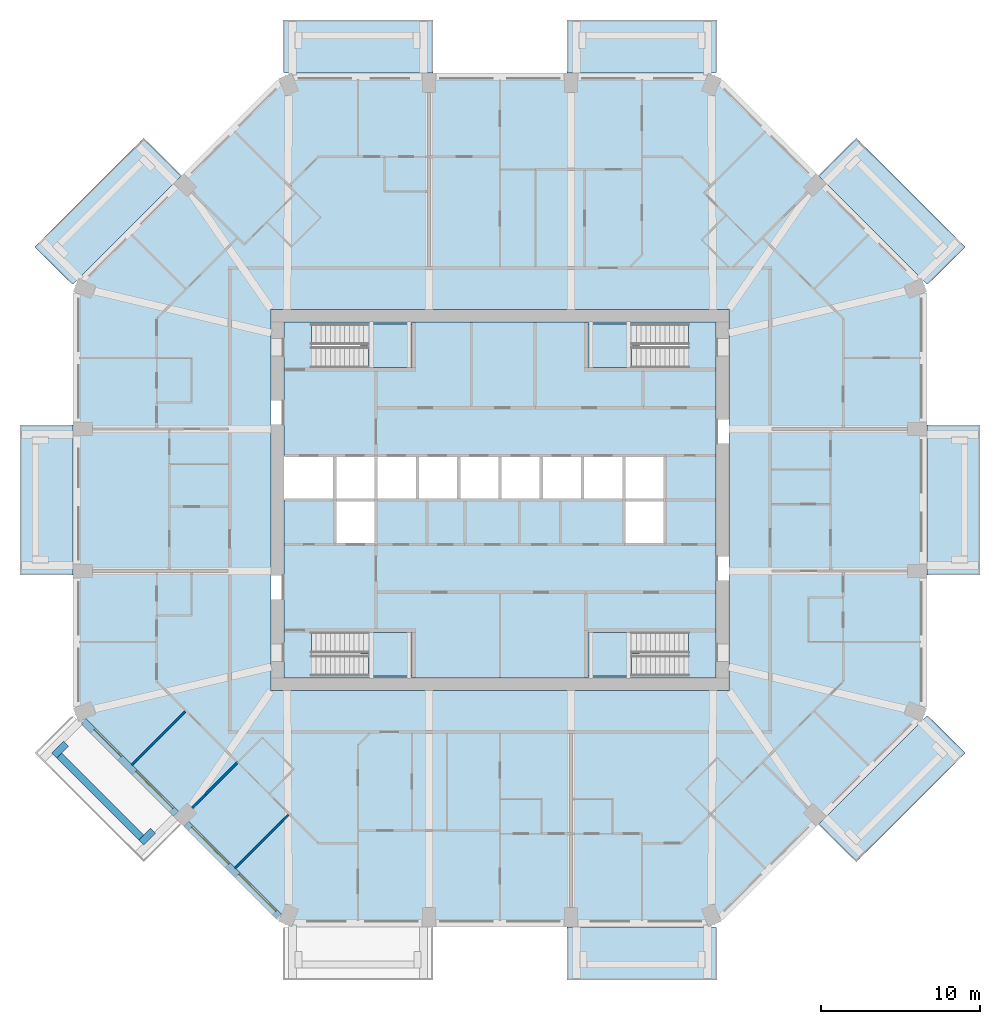
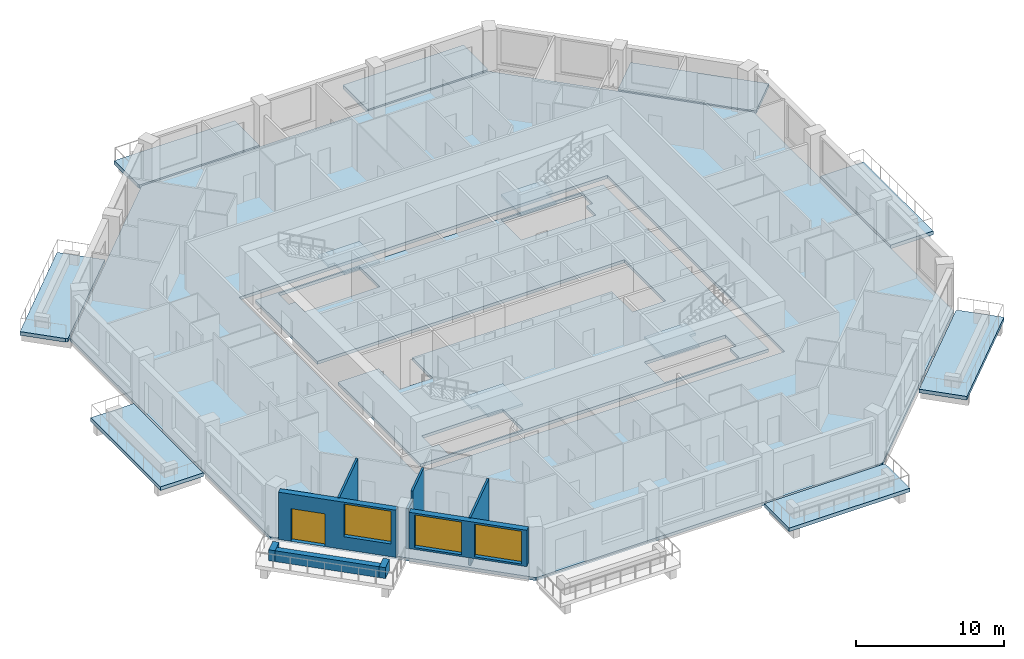
# One storey, part 2 of 13: 14 slabs, 9 walls, 3 windows, 1 door, 4 openings, 4 elements without a shape of their own.
"""IFC4 building model written with IfcOpenShell, lengths in metres."""

from ifc_helpers import new_model, si_unit, direction, frame, frame_2d, origin, place, context, subcontext, project, spatial, polyline, rectangle, outline, extrude, material, layer, layer_set, type_object, element, fill, aggregate, save


model = new_model("IFC4")

# Units and contexts
model_context = context("Model", 3, precision=1e-05, world=origin(), true_north=direction((0.0, 1.0)))
body_context = subcontext(model_context, "Body", "Model", "MODEL_VIEW")
ifc_project = project(units=[si_unit("LENGTHUNIT", "METRE"), si_unit("AREAUNIT", "SQUARE_METRE"), si_unit("VOLUMEUNIT", "CUBIC_METRE"), si_unit("PLANEANGLEUNIT", "RADIAN"), si_unit("MASSUNIT", "GRAM", prefix="KILO")], contexts=[model_context])

# Site, building, storey
site_placement = place(None, origin())
site = spatial("IfcSite", under=ifc_project, at=site_placement, CompositionType="ELEMENT")
building_placement = place(site_placement, origin())
building = spatial("IfcBuilding", under=site, at=building_placement, Name="Msitu Wima Residences", CompositionType="ELEMENT")
storey_placement = place(building_placement, frame((0.0, 0.0, 114.89990234375)))
storey = spatial("IfcBuildingStorey", under=building, at=storey_placement, Name="L26", CompositionType="ELEMENT", Elevation=114.89990234375)

# Slabs
ifc_material_1 = material(Name="Concrete C40/50", Category="concrete")
ifc_layer_1 = layer(ifc_material_1, 0.300048828125)
ifc_layer_set_1 = layer_set([ifc_layer_1], Name="Concrete C40/50")
slab_type_1 = type_object("IfcSlabType", Name="Balcony slab BS300", PredefinedType="FLOOR", material=ifc_layer_set_1)
slab_1_placement = place(storey_placement, frame((0.0, 0.0, -0.2998046875)))
element("IfcSlab", 1, at=slab_1_placement, inside=storey, type_object=slab_type_1, Name="Balcony E1 L26", PredefinedType="FLOOR", context=body_context, shape_type="SweptSolid", body=[
    extrude(outline(polyline([(26.85009765625, 4.0185546875), (26.85009765625, 4.0185546875), (26.85009765625, 4.71875), (30.199951171875, 4.71875), (30.199951171875, -4.71875), (26.85009765625, -4.71875), (26.85009765625, -4.0185546875), (26.85009765625, -4.0185546875), (26.85009765625, 4.0185546875)])), origin(), (0.0, 0.0, 1.0), 0.2998046875),
])
slab_2_placement = place(storey_placement, frame((0.0, 0.0, -0.2998046875)))
element("IfcSlab", 2, at=slab_2_placement, inside=storey, type_object=slab_type_1, Name="Balcony NE0 L26", PredefinedType="FLOOR", context=body_context, shape_type="SweptSolid", body=[
    extrude(outline(polyline([(22.4130859375, 22.766845703125), (29.263671875, 15.916015625), (27.003662109375, 13.656005859375), (26.85009765625, 13.59228515625), (20.04443359375, 20.39794921875), (22.4130859375, 22.766845703125)])), origin(), (0.0, 0.0, 1.0), 0.2998046875),
])
slab_3_placement = place(storey_placement, frame((0.0, 0.0, -0.2998046875)))
element("IfcSlab", 3, at=slab_3_placement, inside=storey, type_object=slab_type_1, Name="Balcony N0 L26", PredefinedType="FLOOR", context=body_context, shape_type="SweptSolid", body=[
    extrude(outline(polyline([(13.105224609375, 26.85009765625), (13.105224609375, 26.85009765625), (4.918701171875, 26.85009765625), (4.918701171875, 26.85009765625), (4.21875, 26.85009765625), (4.21875, 30.199951171875), (13.656005859375, 30.199951171875), (13.656005859375, 27.003662109375), (13.59228515625, 26.85009765625), (13.105224609375, 26.85009765625), (13.105224609375, 26.85009765625)])), origin(), (0.0, 0.0, 1.0), 0.2998046875),
])
slab_4_placement = place(storey_placement, frame((0.0, 0.0, -0.2998046875)))
element("IfcSlab", 4, at=slab_4_placement, inside=storey, type_object=slab_type_1, Name="Balcony N2 L26", PredefinedType="FLOOR", context=body_context, shape_type="SweptSolid", body=[
    extrude(outline(polyline([(-13.105224609375, 26.85009765625), (-13.105224609375, 26.85009765625), (-13.59228515625, 26.85009765625), (-13.656005859375, 27.003662109375), (-13.656005859375, 30.199951171875), (-4.21875, 30.199951171875), (-4.21875, 26.85009765625), (-4.918701171875, 26.85009765625), (-4.918701171875, 26.85009765625), (-13.105224609375, 26.85009765625), (-13.105224609375, 26.85009765625)])), origin(), (0.0, 0.0, 1.0), 0.2998046875),
])
slab_5_placement = place(storey_placement, frame((0.0, 0.0, -0.2998046875)))
element("IfcSlab", 5, at=slab_5_placement, inside=storey, type_object=slab_type_1, Name="Balcony NW1 L26", PredefinedType="FLOOR", context=body_context, shape_type="SweptSolid", body=[
    extrude(outline(polyline([(-29.263671875, 15.916015625), (-22.4130859375, 22.766845703125), (-20.04443359375, 20.39794921875), (-26.85009765625, 13.59228515625), (-27.003662109375, 13.656005859375), (-29.263671875, 15.916015625)])), origin(), (0.0, 0.0, 1.0), 0.2998046875),
])
slab_6_placement = place(storey_placement, frame((0.0, 0.0, -0.2998046875)))
element("IfcSlab", 6, at=slab_6_placement, inside=storey, type_object=slab_type_1, Name="Balcony W1 L26", PredefinedType="FLOOR", context=body_context, shape_type="SweptSolid", body=[
    extrude(outline(polyline([(-26.85009765625, -4.0185546875), (-26.85009765625, -4.0185546875), (-26.85009765625, -4.71875), (-30.199951171875, -4.71875), (-30.199951171875, 4.71875), (-26.85009765625, 4.71875), (-26.85009765625, 4.0185546875), (-26.85009765625, 4.0185546875), (-26.85009765625, -4.0185546875)])), origin(), (0.0, 0.0, 1.0), 0.2998046875),
])
slab_7_placement = place(storey_placement, frame((0.0, 0.0, -0.2998046875)))
element("IfcSlab", 7, at=slab_7_placement, inside=storey, type_object=slab_type_1, Name="Balcony S2 L26", PredefinedType="FLOOR", context=body_context, shape_type="SweptSolid", body=[
    extrude(outline(polyline([(13.105224609375, -26.85009765625), (13.105224609375, -26.85009765625), (13.59228515625, -26.85009765625), (13.656005859375, -27.003662109375), (13.656005859375, -30.199951171875), (4.21875, -30.199951171875), (4.21875, -26.85009765625), (4.918701171875, -26.85009765625), (4.918701171875, -26.85009765625), (13.105224609375, -26.85009765625), (13.105224609375, -26.85009765625)])), origin(), (0.0, 0.0, 1.0), 0.2998046875),
])
slab_8_placement = place(storey_placement, frame((0.0, 0.0, -0.2998046875)))
element("IfcSlab", 8, at=slab_8_placement, inside=storey, type_object=slab_type_1, Name="Balcony SE1 L26", PredefinedType="FLOOR", context=body_context, shape_type="SweptSolid", body=[
    extrude(outline(polyline([(29.263671875, -15.916015625), (22.4130859375, -22.766845703125), (20.04443359375, -20.39794921875), (26.85009765625, -13.59228515625), (27.003662109375, -13.656005859375), (29.263671875, -15.916015625)])), origin(), (0.0, 0.0, 1.0), 0.2998046875),
])
ifc_layer_2 = layer(ifc_material_1, 0.25)
ifc_layer_set_2 = layer_set([ifc_layer_2], Name="Concrete C40/50")
slab_type_2 = type_object("IfcSlabType", Name="Core floor CF250", PredefinedType="FLOOR", material=ifc_layer_set_2)
slab_9_placement = place(storey_placement, frame((0.0, 0.0, -0.25)))
element("IfcSlab", 9, at=slab_9_placement, inside=storey, type_object=slab_type_2, Name="Core floor", PredefinedType="FLOOR", context=body_context, shape_type="SweptSolid", body=[
    extrude(outline(polyline([(-13.60009765625, 11.199951171875), (-13.60009765625, 2.800048828125), (-10.39990234375, 2.800048828125), (-7.800048828125, 2.800048828125), (-5.199951171875, 2.800048828125), (-2.60009765625, 2.800048828125), (0.0, 2.800048828125), (2.60009765625, 2.800048828125), (5.199951171875, 2.800048828125), (7.800048828125, 2.800048828125), (10.39990234375, 2.800048828125), (10.39990234375, 0.0), (10.39990234375, -2.800048828125), (7.800048828125, -2.800048828125), (7.800048828125, 0.0), (5.199951171875, 0.0), (2.60009765625, 0.0), (0.0, 0.0), (-2.60009765625, 0.0), (-5.199951171875, 0.0), (-7.800048828125, 0.0), (-7.800048828125, -2.800048828125), (-10.39990234375, -2.800048828125), (-10.39990234375, 0.0), (-13.60009765625, 0.0), (-13.60009765625, -11.199951171875), (13.60009765625, -11.199951171875), (13.60009765625, 11.199951171875), (-13.60009765625, 11.199951171875)]), holes=[polyline([(-11.375, -11.074951171875), (-11.375, -9.77490234375), (-11.87451171875, -9.77490234375), (-11.87451171875, -8.324951171875), (-5.52490234375, -8.324951171875), (-5.52490234375, -11.074951171875), (-11.375, -11.074951171875)]), polyline([(-11.375, 9.625), (-11.87451171875, 9.625), (-11.87451171875, 11.074951171875), (-5.52490234375, 11.074951171875), (-5.52490234375, 8.324951171875), (-11.375, 8.324951171875), (-11.375, 9.625)]), polyline([(11.375, -9.77490234375), (11.375, -11.074951171875), (5.52490234375, -11.074951171875), (5.52490234375, -8.324951171875), (11.87451171875, -8.324951171875), (11.87451171875, -9.77490234375), (11.375, -9.77490234375)]), polyline([(11.375, 9.625), (11.375, 8.324951171875), (5.52490234375, 8.324951171875), (5.52490234375, 11.074951171875), (11.87451171875, 11.074951171875), (11.87451171875, 9.625), (11.375, 9.625)])]), origin(), (0.0, 0.0, 1.0), 0.25),
])
ifc_layer_3 = layer(ifc_material_1, 0.25)
ifc_layer_set_3 = layer_set([ifc_layer_3], Name="Concrete C40/50")
slab_type_3 = type_object("IfcSlabType", Name="PT flat slab 250 Concrete C40/50", PredefinedType="FLOOR", material=ifc_layer_set_3)
slab_10_placement = place(storey_placement, frame((0.0, 0.0, -0.25)))
element("IfcSlab", 10, at=slab_10_placement, inside=storey, type_object=slab_type_3, Name="Floor slab L26", PredefinedType="FLOOR", context=body_context, shape_type="SweptSolid", body=[
    extrude(outline(polyline([(26.699951171875, -13.5302734375), (13.5302734375, -26.699951171875), (-13.5302734375, -26.699951171875), (-26.699951171875, -13.5302734375), (-26.699951171875, 13.5302734375), (-13.5302734375, 26.699951171875), (13.5302734375, 26.699951171875), (26.699951171875, 13.5302734375), (26.699951171875, -13.5302734375)]), holes=[polyline([(-14.39990234375, -12.0), (14.39990234375, -12.0), (14.39990234375, 12.0), (-14.39990234375, 12.0), (-14.39990234375, -12.0)])]), origin(), (0.0, 0.0, 1.0), 0.25),
])

# Stair, slab
stair_type = type_object("IfcStairType", Name="Exit stair ES1615-130", PredefinedType="HALF_TURN_STAIR", material=ifc_material_1)
stair_1_placement = place(storey_placement, origin())
stair_1 = element("IfcStair", 11, at=stair_1_placement, inside=storey, type_object=stair_type, Name="Exit stair 1", PredefinedType="HALF_TURN_STAIR")
ifc_layer_4 = layer(ifc_material_1, 0.199951171875)
ifc_layer_set_4 = layer_set([ifc_layer_4], Name="Concrete C40/50")
slab_type_4 = type_object("IfcSlabType", Name="Stair landing SL200", PredefinedType="LANDING", material=ifc_layer_set_4)
slab_11_placement = place(storey_placement, frame((0.0, 0.0, 1.900146484375)))
slab_11 = element("IfcSlab", 12, at=slab_11_placement, type_object=slab_type_4, Name="S1 landing 1", PredefinedType="LANDING", context=body_context, shape_type="SweptSolid", body=[
    extrude(outline(polyline([(-5.52490234375, 8.324951171875), (-8.275390625, 8.324951171875), (-8.275390625, 9.699951171875), (-8.77490234375, 9.699951171875), (-8.77490234375, 11.074951171875), (-5.52490234375, 11.074951171875), (-5.52490234375, 8.324951171875)])), origin(), (0.0, 0.0, 1.0), 0.199951171875),
])
aggregate(stair_1, [slab_11])

stair_2_placement = place(storey_placement, origin())
stair_2 = element("IfcStair", 13, at=stair_2_placement, inside=storey, type_object=stair_type, Name="Exit stair 2", PredefinedType="HALF_TURN_STAIR")
slab_12_placement = place(storey_placement, frame((0.0, 0.0, 1.900146484375)))
slab_12 = element("IfcSlab", 14, at=slab_12_placement, type_object=slab_type_4, Name="S2 landing 1", PredefinedType="LANDING", context=body_context, shape_type="SweptSolid", body=[
    extrude(outline(polyline([(-5.52490234375, -11.074951171875), (-8.275390625, -11.074951171875), (-8.275390625, -9.699951171875), (-8.77490234375, -9.699951171875), (-8.77490234375, -8.324951171875), (-5.52490234375, -8.324951171875), (-5.52490234375, -11.074951171875)])), origin(), (0.0, 0.0, 1.0), 0.199951171875),
])
aggregate(stair_2, [slab_12])

stair_3_placement = place(storey_placement, origin())
stair_3 = element("IfcStair", 15, at=stair_3_placement, inside=storey, type_object=stair_type, Name="Exit stair 3", PredefinedType="HALF_TURN_STAIR")
slab_13_placement = place(storey_placement, frame((0.0, 0.0, 1.900146484375)))
slab_13 = element("IfcSlab", 16, at=slab_13_placement, type_object=slab_type_4, Name="S3 landing 1", PredefinedType="LANDING", context=body_context, shape_type="SweptSolid", body=[
    extrude(outline(polyline([(5.52490234375, 8.324951171875), (8.275390625, 8.324951171875), (8.275390625, 9.699951171875), (8.77490234375, 9.699951171875), (8.77490234375, 11.074951171875), (5.52490234375, 11.074951171875), (5.52490234375, 8.324951171875)])), origin(), (0.0, 0.0, 1.0), 0.199951171875),
])
aggregate(stair_3, [slab_13])

stair_4_placement = place(storey_placement, origin())
stair_4 = element("IfcStair", 17, at=stair_4_placement, inside=storey, type_object=stair_type, Name="Exit stair 4", PredefinedType="HALF_TURN_STAIR")
slab_14_placement = place(storey_placement, frame((0.0, 0.0, 1.900146484375)))
slab_14 = element("IfcSlab", 18, at=slab_14_placement, type_object=slab_type_4, Name="S4 landing 1", PredefinedType="LANDING", context=body_context, shape_type="SweptSolid", body=[
    extrude(outline(polyline([(5.52490234375, -11.074951171875), (8.275390625, -11.074951171875), (8.275390625, -9.699951171875), (8.77490234375, -9.699951171875), (8.77490234375, -8.324951171875), (5.52490234375, -8.324951171875), (5.52490234375, -11.074951171875)])), origin(), (0.0, 0.0, 1.0), 0.199951171875),
])
aggregate(stair_4, [slab_14])

# Walls
ifc_material_2 = material(Name="Facing brick")
ifc_layer_5 = layer(ifc_material_2, 0.06494140625, Name="Facing brick")
ifc_layer_6 = layer(ifc_material_1, 0.156005859375, Name="Concrete C40/50")
ifc_material_3 = material(Name="Waterproofing membrane")
ifc_layer_7 = layer(ifc_material_3, 0.00390625, Name="Waterproofing membrane")
ifc_material_4 = material(Name="Planting soil and planting")
ifc_layer_8 = layer(ifc_material_4, 0.22509765625, Name="Planting soil and planting")
ifc_layer_set_5 = layer_set([ifc_layer_5, ifc_layer_6, ifc_layer_7, ifc_layer_8], Name="Concrete C40/50")
wall_type_1 = type_object("IfcWallType", Name="Balcony planter PLANTER PL450", PredefinedType="USERDEFINED", material=ifc_layer_set_5)
wall_1_placement = place(storey_placement, frame((-27.725830078125, -16.0751953125, 0.0), z_axis=(0.0, 0.0, 1.0), x_axis=(0.707106781187, -0.707106781187, 0.0)))
element("IfcWall", 19, at=wall_1_placement, inside=storey, type_object=wall_type_1, Name="Balcony planter SW0 L26", ObjectType="PLANTER", PredefinedType="USERDEFINED", context=body_context, shape_type="SweptSolid", body=[
    extrude(rectangle(XDim=7.288330078125, YDim=0.449951171875, at=frame_2d((3.64404296875, 0.0))), origin(), (0.0, 0.0, 1.0), 0.900146484375),
])
for number, where, z_axis, x_axis, name in (
    (20, (-27.301513671875, -15.332763671875, 0.0), (0.0, 0.0, 1.0), (-0.707106781187, -0.707106781187, 0.0), "Balcony planter SW0 L26"),
    (21, (-21.829833984375, -20.804443359375, 0.0), (0.0, 0.0, 1.0), (-0.707106781187, -0.707106781187, 0.0), "Balcony planter SW0 L26"),
):
    element("IfcWall", number, at=place(storey_placement, frame(where, z_axis=z_axis, x_axis=x_axis)), inside=storey, type_object=wall_type_1, Name=name, ObjectType="PLANTER", PredefinedType="USERDEFINED", context=body_context, shape_type="SweptSolid", body=[
        extrude(rectangle(XDim=1.050048828125, YDim=0.449951171875, at=frame_2d((0.52490234375, 0.0))), origin(), (0.0, 0.0, 1.0), 0.900146484375),
    ])

# Wall, openings, door, window
ifc_material_5 = material(Name="Brick (red buff mix)", Category="masonry")
ifc_layer_9 = layer(ifc_material_5, 0.449951171875)
ifc_layer_set_6 = layer_set([ifc_layer_9], Name="Brick (red buff mix)")
wall_type_2 = type_object("IfcWallType", Name="Brick infill wall BW450", PredefinedType="SOLIDWALL", material=ifc_layer_set_6)
wall_2_placement = place(storey_placement, frame((-26.214599609375, -13.909423828125, 0.0), z_axis=(0.0, 0.0, 1.0), x_axis=(0.707106781187, -0.707106781187, 0.0)))
wall_2 = element("IfcWall", 22, at=wall_2_placement, inside=storey, type_object=wall_type_2, Name="Brick infill wall L26 SW0", PredefinedType="SOLIDWALL", context=body_context, shape_type="SweptSolid", body=[
    extrude(rectangle(XDim=8.251220703125, YDim=0.449951171875, at=frame_2d((4.12548828125, 0.0))), origin(), (0.0, 0.0, 1.0), 3.900146484375),
])
opening_1_placement = place(wall_2_placement, frame((0.86279296875, 0.0, 0.0)))
opening_1 = element("IfcOpeningElement", 23, at=opening_1_placement, cuts=wall_2, Name="Opening D25-26.009", PredefinedType="OPENING", context=body_context, shape_type="SweptSolid", body=[
    extrude(rectangle(XDim=2.39990234375, YDim=2.699951171875, at=frame_2d((1.199951171875, 1.35009765625))), frame((0.0, 0.23486328125, 0.0), z_axis=(0.0, -1.0, 0.0), x_axis=(1.0, 0.0, 0.0)), (0.0, 0.0, 1.0), 0.469970703125),
])
opening_2_placement = place(wall_2_placement, frame((4.57568359375, 0.0, 1.050048828125)))
opening_2 = element("IfcOpeningElement", 24, at=opening_2_placement, cuts=wall_2, Name="Opening W25-26.023", PredefinedType="OPENING", context=body_context, shape_type="SweptSolid", body=[
    extrude(rectangle(XDim=3.300048828125, YDim=2.699951171875, at=frame_2d((1.64990234375, 1.35009765625))), frame((0.0, 0.23486328125, 0.0), z_axis=(0.0, -1.0, 0.0), x_axis=(1.0, 0.0, 0.0)), (0.0, 0.0, 1.0), 0.469970703125),
])
ifc_material_6 = material(Name="Anodised aluminium, bronze finish, clear low-emissivity double glazing", Category="aluminium")
door_type = type_object("IfcDoorType", Name="Balcony door D2400x2700", OperationType="SLIDING_TO_LEFT", PredefinedType="DOOR", material=ifc_material_6)
door_placement = place(opening_1_placement, origin())
door = element("IfcDoor", 25, at=door_placement, inside=storey, type_object=door_type, Name="Balcony door L26 SW0", OperationType="SINGLE_SWING_LEFT", OverallHeight=2.699951171875, OverallWidth=2.39990234375, PredefinedType="DOOR", context=body_context, shape_type="SweptSolid", body=[
    extrude(rectangle(XDim=2.39990234375, YDim=2.699951171875, at=frame_2d((1.199951171875, 1.35009765625))), frame((0.0, 0.1298828125, 0.0), z_axis=(0.0, -1.0, 0.0), x_axis=(1.0, 0.0, 0.0)), (0.0, 0.0, 1.0), 0.050048828125),
])
fill(opening_1, door)
window_type = type_object("IfcWindowType", Name="Window W3300x2700", PartitioningType="DOUBLE_PANEL_VERTICAL", PredefinedType="WINDOW", material=ifc_material_6)
window_1_placement = place(opening_2_placement, origin())
window_1 = element("IfcWindow", 26, at=window_1_placement, inside=storey, type_object=window_type, Name="Window L26 SW0.2", OverallHeight=2.699951171875, OverallWidth=3.300048828125, PartitioningType="SINGLE_PANEL", PredefinedType="WINDOW", context=body_context, shape_type="SweptSolid", body=[
    extrude(rectangle(XDim=3.300048828125, YDim=2.699951171875, at=frame_2d((1.64990234375, 1.35009765625))), frame((0.0, 0.135009765625, 0.0), z_axis=(0.0, -1.0, 0.0), x_axis=(1.0, 0.0, 0.0)), (0.0, 0.0, 1.0), 0.06005859375),
])
fill(opening_2, window_1)

# Wall, openings, windows
wall_3_placement = place(storey_placement, frame((-19.743896484375, -20.380126953125, 0.900146484375), z_axis=(0.0, 0.0, 1.0), x_axis=(0.707106781187, -0.707106781187, 0.0)))
wall_3 = element("IfcWall", 27, at=wall_3_placement, inside=storey, type_object=wall_type_2, Name="Brick infill wall L26 SW1", PredefinedType="SOLIDWALL", context=body_context, shape_type="SweptSolid", body=[
    extrude(rectangle(XDim=8.251220703125, YDim=0.449951171875, at=frame_2d((4.12548828125, 0.0))), origin(), (0.0, 0.0, 1.0), 3.0),
])
opening_3_placement = place(wall_3_placement, frame((0.37548828125, 0.0, 0.14990234375)))
opening_3 = element("IfcOpeningElement", 28, at=opening_3_placement, cuts=wall_3, Name="Opening W25-26.024", PredefinedType="OPENING", context=body_context, shape_type="SweptSolid", body=[
    extrude(rectangle(XDim=3.300048828125, YDim=2.699951171875, at=frame_2d((1.64990234375, 1.35009765625))), frame((0.0, 0.23486328125, 0.0), z_axis=(0.0, -1.0, 0.0), x_axis=(1.0, 0.0, 0.0)), (0.0, 0.0, 1.0), 0.469970703125),
])
opening_4_placement = place(wall_3_placement, frame((4.57568359375, 0.0, 0.14990234375)))
opening_4 = element("IfcOpeningElement", 29, at=opening_4_placement, cuts=wall_3, Name="Opening W25-26.025", PredefinedType="OPENING", context=body_context, shape_type="SweptSolid", body=[
    extrude(rectangle(XDim=3.300048828125, YDim=2.699951171875, at=frame_2d((1.64990234375, 1.35009765625))), frame((0.0, 0.23486328125, 0.0), z_axis=(0.0, -1.0, 0.0), x_axis=(1.0, 0.0, 0.0)), (0.0, 0.0, 1.0), 0.469970703125),
])
window_2_placement = place(opening_3_placement, origin())
window_2 = element("IfcWindow", 30, at=window_2_placement, inside=storey, type_object=window_type, Name="Window L26 SW1.1", OverallHeight=2.699951171875, OverallWidth=3.300048828125, PartitioningType="SINGLE_PANEL", PredefinedType="WINDOW", context=body_context, shape_type="SweptSolid", body=[
    extrude(rectangle(XDim=3.300048828125, YDim=2.699951171875, at=frame_2d((1.64990234375, 1.35009765625))), frame((0.0, 0.135009765625, 0.0), z_axis=(0.0, -1.0, 0.0), x_axis=(1.0, 0.0, 0.0)), (0.0, 0.0, 1.0), 0.06005859375),
])
fill(opening_3, window_2)
window_3_placement = place(opening_4_placement, origin())
window_3 = element("IfcWindow", 31, at=window_3_placement, inside=storey, type_object=window_type, Name="Window L26 SW1.2", OverallHeight=2.699951171875, OverallWidth=3.300048828125, PartitioningType="SINGLE_PANEL", PredefinedType="WINDOW", context=body_context, shape_type="SweptSolid", body=[
    extrude(rectangle(XDim=3.300048828125, YDim=2.699951171875, at=frame_2d((1.64990234375, 1.35009765625))), frame((0.0, 0.135009765625, 0.0), z_axis=(0.0, -1.0, 0.0), x_axis=(1.0, 0.0, 0.0)), (0.0, 0.0, 1.0), 0.06005859375),
])
fill(opening_4, window_3)

# Walls
ifc_material_7 = material(Name="Plaster")
ifc_layer_10 = layer(ifc_material_7, 0.011962890625, Name="Plaster")
ifc_material_8 = material(Name="Concrete blockwork", Category="masonry")
ifc_layer_11 = layer(ifc_material_8, 0.1259765625, Name="Concrete blockwork")
ifc_layer_12 = layer(ifc_material_7, 0.011962890625, Name="Plaster")
ifc_layer_set_7 = layer_set([ifc_layer_10, ifc_layer_11, ifc_layer_12], Name="Concrete blockwork")
wall_type_3 = type_object("IfcWallType", Name="Partition PW150", PredefinedType="PARTITIONING", material=ifc_layer_set_7)
wall_4_placement = place(storey_placement, frame((-23.1904296875, -16.693359375, 0.0), z_axis=(0.0, 0.0, 1.0), x_axis=(0.707106781187, 0.707106781187, 0.0)))
element("IfcWall", 32, at=wall_4_placement, inside=storey, type_object=wall_type_3, Name="Partition", PredefinedType="PARTITIONING", context=body_context, shape_type="SweptSolid", body=[
    extrude(rectangle(XDim=4.7802734375, YDim=0.14990234375, at=frame_2d((2.39013671875, 0.0))), origin(), (0.0, 0.0, 1.0), 3.9501953125),
])
wall_5_placement = place(storey_placement, frame((-19.37255859375, -19.37255859375, 0.0), z_axis=(0.0, 0.0, 1.0), x_axis=(0.707106781187, 0.707106781187, 0.0)))
element("IfcWall", 33, at=wall_5_placement, inside=storey, type_object=wall_type_3, Name="Partition", PredefinedType="PARTITIONING", context=body_context, shape_type="SweptSolid", body=[
    extrude(rectangle(XDim=1.209228515625, YDim=0.14990234375, at=frame_2d((0.6044921875, 0.0))), origin(), (0.0, 0.0, 1.0), 3.300048828125),
])
wall_6_placement = place(storey_placement, frame((-18.517578125, -18.517578125, 0.0), z_axis=(0.0, 0.0, 1.0), x_axis=(0.707106781187, 0.707106781187, 0.0)))
element("IfcWall", 34, at=wall_6_placement, inside=storey, type_object=wall_type_3, Name="Partition", PredefinedType="PARTITIONING", context=body_context, shape_type="SweptSolid", body=[
    extrude(rectangle(XDim=2.86083984375, YDim=0.14990234375, at=frame_2d((1.430419921875, 0.0))), origin(), (0.0, 0.0, 1.0), 3.9501953125),
])
wall_7_placement = place(storey_placement, frame((-16.693359375, -23.1904296875, 0.0), z_axis=(0.0, 0.0, 1.0), x_axis=(0.707106781187, 0.707106781187, 0.0)))
element("IfcWall", 35, at=wall_7_placement, inside=storey, type_object=wall_type_3, Name="Partition", PredefinedType="PARTITIONING", context=body_context, shape_type="SweptSolid", body=[
    extrude(rectangle(XDim=4.7802734375, YDim=0.14990234375, at=frame_2d((2.39013671875, 0.0))), origin(), (0.0, 0.0, 1.0), 3.9501953125),
])

save(model, "model.ifc")
